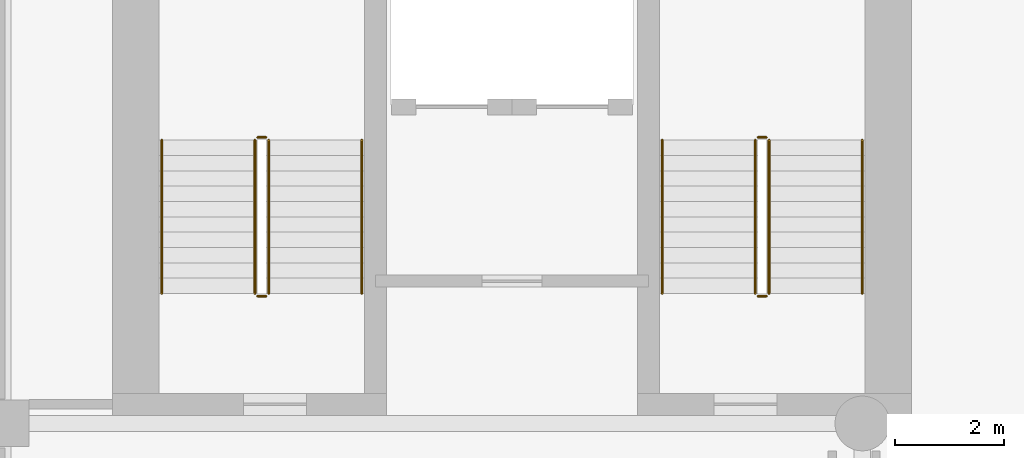
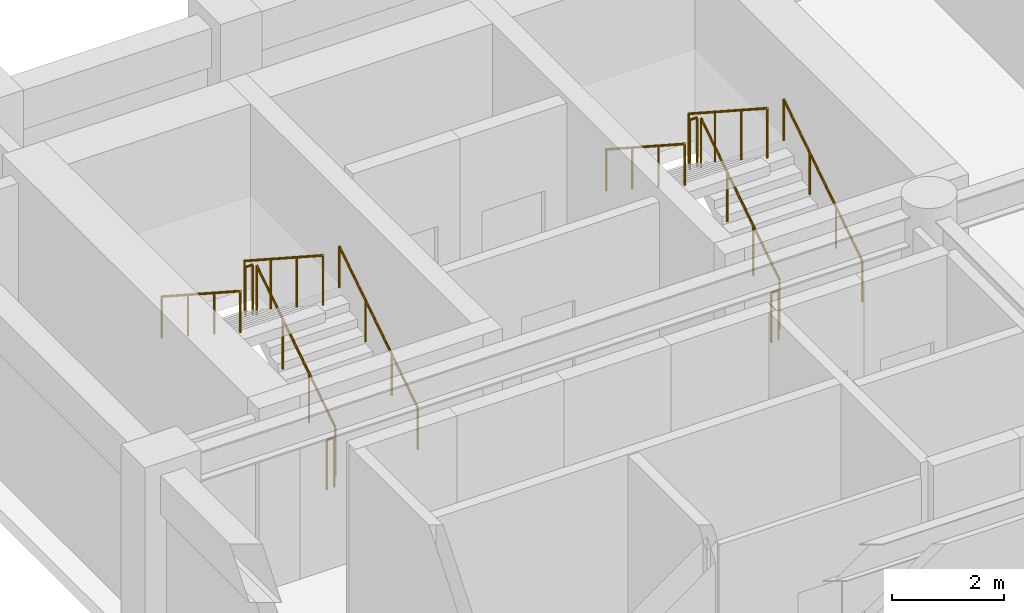
# One storey, part 7 of 8: 12 railings.
"""IFC4 building model written with IfcOpenShell, lengths in metres."""

from ifc_helpers import new_model, si_unit, direction, frame, origin, origin_2d, place, context, subcontext, project, spatial, circle, extrude, material, type_object, element, save


model = new_model("IFC4")

# Units and contexts
model_context = context("Model", 3, precision=1e-05, world=origin(), true_north=direction((0.0, 1.0)))
body_context = subcontext(model_context, "Body", "Model", "MODEL_VIEW")
ifc_project = project(units=[si_unit("LENGTHUNIT", "METRE"), si_unit("AREAUNIT", "SQUARE_METRE"), si_unit("VOLUMEUNIT", "CUBIC_METRE"), si_unit("PLANEANGLEUNIT", "RADIAN"), si_unit("MASSUNIT", "GRAM", prefix="KILO")], contexts=[model_context])

# Site, building, storey
site_placement = place(None, origin())
site = spatial("IfcSite", under=ifc_project, at=site_placement, CompositionType="ELEMENT")
building_placement = place(site_placement, origin())
building = spatial("IfcBuilding", under=site, at=building_placement, Name="Sulina Concourse Tower", CompositionType="ELEMENT")
storey_placement = place(building_placement, frame((0.0, 0.0, 132.60009765625)))
storey = spatial("IfcBuildingStorey", under=building, at=storey_placement, Name="L32", CompositionType="ELEMENT", Elevation=132.60009765625)

# Railings
ifc_material_1 = material(Name="Galvanised steel railing", Category="steel")
railing_type_1 = type_object("IfcRailingType", Name="Core Stair Steel Guardrail 1150mm", PredefinedType="GUARDRAIL", material=ifc_material_1)
railing_1_placement = place(storey_placement, frame((5.554931640625, 36.375, 0.181640625)))
element("IfcRailing", 1, at=railing_1_placement, inside=storey, type_object=railing_type_1, Name="L32 ST-1 stair guard 1", PredefinedType="GUARDRAIL", context=body_context, shape_type="SweptSolid", body=[
    extrude(circle(Radius=0.02392578125, at=origin_2d()), frame((0.0, 0.0, 1.076171875), z_axis=(0.0, 0.838672427954, 0.544636170843), x_axis=(-1.0, 0.0, 0.0)), (0.0, 0.0, 1.0), 3.338623046875),
    extrude(circle(Radius=0.02099609375, at=origin_2d()), origin(), (0.0, 0.0, 1.0), 1.052001953125),
    extrude(circle(Radius=0.02099609375, at=origin_2d()), frame((0.0, 0.933349609375, 0.606201171875)), (0.0, 0.0, 1.0), 1.052001953125),
    extrude(circle(Radius=0.02099609375, at=origin_2d()), frame((0.0, 1.86669921875, 1.212158203125)), (0.0, 0.0, 1.0), 1.052001953125),
    extrude(circle(Radius=0.02099609375, at=origin_2d()), frame((0.0, 2.800048828125, 1.818359375)), (0.0, 0.0, 1.0), 1.052001953125),
])
railing_2_placement = place(storey_placement, frame((5.5048828125, 39.22509765625, 2.0)))
element("IfcRailing", 2, at=railing_2_placement, inside=storey, type_object=railing_type_1, Name="L32 ST-1 stair guard 2", PredefinedType="GUARDRAIL", context=body_context, shape_type="SweptSolid", body=[
    extrude(circle(Radius=0.02392578125, at=origin_2d()), frame((0.0, 0.0, 1.076171875), z_axis=(-1.0, 0.0, 0.0), x_axis=(0.0, -1.0, 0.0)), (0.0, 0.0, 1.0), 0.14990234375),
    extrude(circle(Radius=0.02099609375, at=origin_2d()), origin(), (0.0, 0.0, 1.0), 1.052001953125),
    extrude(circle(Radius=0.02099609375, at=origin_2d()), frame((-0.14990234375, 0.0, 0.0)), (0.0, 0.0, 1.0), 1.052001953125),
])
railing_3_placement = place(storey_placement, frame((5.304931640625, 39.175048828125, 2.181640625)))
element("IfcRailing", 3, at=railing_3_placement, inside=storey, type_object=railing_type_1, Name="L32 ST-1 stair guard 3", PredefinedType="GUARDRAIL", context=body_context, shape_type="SweptSolid", body=[
    extrude(circle(Radius=0.02392578125, at=origin_2d()), frame((0.0, 0.0, 1.076171875), z_axis=(0.0, -0.838672427954, 0.544636170843), x_axis=(1.0, 0.0, 0.0)), (0.0, 0.0, 1.0), 3.338623046875),
    extrude(circle(Radius=0.02099609375, at=origin_2d()), origin(), (0.0, 0.0, 1.0), 1.052001953125),
    extrude(circle(Radius=0.02099609375, at=origin_2d()), frame((0.0, -0.933349609375, 0.606201171875)), (0.0, 0.0, 1.0), 1.052001953125),
    extrude(circle(Radius=0.02099609375, at=origin_2d()), frame((0.0, -1.86669921875, 1.212158203125)), (0.0, 0.0, 1.0), 1.052001953125),
    extrude(circle(Radius=0.02099609375, at=origin_2d()), frame((0.0, -2.800048828125, 1.818359375)), (0.0, 0.0, 1.0), 1.052001953125),
])
railing_4_placement = place(storey_placement, frame((5.5048828125, 36.324951171875, 0.0)))
element("IfcRailing", 4, at=railing_4_placement, inside=storey, type_object=railing_type_1, Name="L32 ST-1 stair guard 4", PredefinedType="GUARDRAIL", context=body_context, shape_type="SweptSolid", body=[
    extrude(circle(Radius=0.02392578125, at=origin_2d()), frame((0.0, 0.0, 1.076171875), z_axis=(-1.0, 0.0, 0.0), x_axis=(0.0, -1.0, 0.0)), (0.0, 0.0, 1.0), 0.14990234375),
    extrude(circle(Radius=0.02099609375, at=origin_2d()), origin(), (0.0, 0.0, 1.0), 1.052001953125),
    extrude(circle(Radius=0.02099609375, at=origin_2d()), frame((-0.14990234375, 0.0, 0.0)), (0.0, 0.0, 1.0), 1.052001953125),
])
railing_5_placement = place(storey_placement, frame((14.695068359375, 36.375, 0.181640625)))
element("IfcRailing", 5, at=railing_5_placement, inside=storey, type_object=railing_type_1, Name="L32 ST-2 stair guard 1", PredefinedType="GUARDRAIL", context=body_context, shape_type="SweptSolid", body=[
    extrude(circle(Radius=0.02392578125, at=origin_2d()), frame((0.0, 0.0, 1.076171875), z_axis=(0.0, 0.838672427954, 0.544636170843), x_axis=(-1.0, 0.0, 0.0)), (0.0, 0.0, 1.0), 3.338623046875),
    extrude(circle(Radius=0.02099609375, at=origin_2d()), origin(), (0.0, 0.0, 1.0), 1.052001953125),
    extrude(circle(Radius=0.02099609375, at=origin_2d()), frame((0.0, 0.933349609375, 0.606201171875)), (0.0, 0.0, 1.0), 1.052001953125),
    extrude(circle(Radius=0.02099609375, at=origin_2d()), frame((0.0, 1.86669921875, 1.212158203125)), (0.0, 0.0, 1.0), 1.052001953125),
    extrude(circle(Radius=0.02099609375, at=origin_2d()), frame((0.0, 2.800048828125, 1.818359375)), (0.0, 0.0, 1.0), 1.052001953125),
])
railing_6_placement = place(storey_placement, frame((14.64501953125, 39.22509765625, 2.0)))
element("IfcRailing", 6, at=railing_6_placement, inside=storey, type_object=railing_type_1, Name="L32 ST-2 stair guard 2", PredefinedType="GUARDRAIL", context=body_context, shape_type="SweptSolid", body=[
    extrude(circle(Radius=0.02392578125, at=origin_2d()), frame((0.0, 0.0, 1.076171875), z_axis=(-1.0, 0.0, 0.0), x_axis=(0.0, -1.0, 0.0)), (0.0, 0.0, 1.0), 0.14990234375),
    extrude(circle(Radius=0.02099609375, at=origin_2d()), origin(), (0.0, 0.0, 1.0), 1.052001953125),
    extrude(circle(Radius=0.02099609375, at=origin_2d()), frame((-0.14990234375, 0.0, 0.0)), (0.0, 0.0, 1.0), 1.052001953125),
])
railing_7_placement = place(storey_placement, frame((14.445068359375, 39.175048828125, 2.181640625)))
element("IfcRailing", 7, at=railing_7_placement, inside=storey, type_object=railing_type_1, Name="L32 ST-2 stair guard 3", PredefinedType="GUARDRAIL", context=body_context, shape_type="SweptSolid", body=[
    extrude(circle(Radius=0.02392578125, at=origin_2d()), frame((0.0, 0.0, 1.076171875), z_axis=(0.0, -0.838672427954, 0.544636170843), x_axis=(1.0, 0.0, 0.0)), (0.0, 0.0, 1.0), 3.338623046875),
    extrude(circle(Radius=0.02099609375, at=origin_2d()), origin(), (0.0, 0.0, 1.0), 1.052001953125),
    extrude(circle(Radius=0.02099609375, at=origin_2d()), frame((0.0, -0.933349609375, 0.606201171875)), (0.0, 0.0, 1.0), 1.052001953125),
    extrude(circle(Radius=0.02099609375, at=origin_2d()), frame((0.0, -1.86669921875, 1.212158203125)), (0.0, 0.0, 1.0), 1.052001953125),
    extrude(circle(Radius=0.02099609375, at=origin_2d()), frame((0.0, -2.800048828125, 1.818359375)), (0.0, 0.0, 1.0), 1.052001953125),
])
railing_8_placement = place(storey_placement, frame((14.64501953125, 36.324951171875, 0.0)))
element("IfcRailing", 8, at=railing_8_placement, inside=storey, type_object=railing_type_1, Name="L32 ST-2 stair guard 4", PredefinedType="GUARDRAIL", context=body_context, shape_type="SweptSolid", body=[
    extrude(circle(Radius=0.02392578125, at=origin_2d()), frame((0.0, 0.0, 1.076171875), z_axis=(-1.0, 0.0, 0.0), x_axis=(0.0, -1.0, 0.0)), (0.0, 0.0, 1.0), 0.14990234375),
    extrude(circle(Radius=0.02099609375, at=origin_2d()), origin(), (0.0, 0.0, 1.0), 1.052001953125),
    extrude(circle(Radius=0.02099609375, at=origin_2d()), frame((-0.14990234375, 0.0, 0.0)), (0.0, 0.0, 1.0), 1.052001953125),
])
ifc_material_2 = material(Name="Galvanised steel railing", Category="steel")
railing_type_2 = type_object("IfcRailingType", Name="Stair Wall Steel Handrail 920mm", PredefinedType="HANDRAIL", material=ifc_material_2)
railing_9_placement = place(storey_placement, frame((7.2548828125, 36.375, 0.181640625)))
element("IfcRailing", 9, at=railing_9_placement, inside=storey, type_object=railing_type_2, Name="L32 ST-1 stair handrail 1", PredefinedType="HANDRAIL", context=body_context, shape_type="SweptSolid", body=[
    extrude(circle(Radius=0.02392578125, at=origin_2d()), frame((0.0, 0.0, 0.89599609375), z_axis=(0.0, 0.838672427954, 0.544636170843), x_axis=(-1.0, 0.0, 0.0)), (0.0, 0.0, 1.0), 3.338623046875),
    extrude(circle(Radius=0.02099609375, at=origin_2d()), origin(), (0.0, 0.0, 1.0), 0.871826171875),
    extrude(circle(Radius=0.02099609375, at=origin_2d()), frame((0.0, 0.933349609375, 0.606201171875)), (0.0, 0.0, 1.0), 0.871826171875),
    extrude(circle(Radius=0.02099609375, at=origin_2d()), frame((0.0, 1.86669921875, 1.212158203125)), (0.0, 0.0, 1.0), 0.871826171875),
    extrude(circle(Radius=0.02099609375, at=origin_2d()), frame((0.0, 2.800048828125, 1.818359375)), (0.0, 0.0, 1.0), 0.871826171875),
])
railing_10_placement = place(storey_placement, frame((3.60498046875, 39.175048828125, 2.181640625)))
element("IfcRailing", 10, at=railing_10_placement, inside=storey, type_object=railing_type_2, Name="L32 ST-1 stair handrail 2", PredefinedType="HANDRAIL", context=body_context, shape_type="SweptSolid", body=[
    extrude(circle(Radius=0.02392578125, at=origin_2d()), frame((0.0, 0.0, 0.89599609375), z_axis=(0.0, -0.838672427954, 0.544636170843), x_axis=(1.0, 0.0, 0.0)), (0.0, 0.0, 1.0), 3.338623046875),
    extrude(circle(Radius=0.02099609375, at=origin_2d()), origin(), (0.0, 0.0, 1.0), 0.871826171875),
    extrude(circle(Radius=0.02099609375, at=origin_2d()), frame((0.0, -0.933349609375, 0.606201171875)), (0.0, 0.0, 1.0), 0.871826171875),
    extrude(circle(Radius=0.02099609375, at=origin_2d()), frame((0.0, -1.86669921875, 1.212158203125)), (0.0, 0.0, 1.0), 0.871826171875),
    extrude(circle(Radius=0.02099609375, at=origin_2d()), frame((0.0, -2.800048828125, 1.818359375)), (0.0, 0.0, 1.0), 0.871826171875),
])
railing_11_placement = place(storey_placement, frame((16.39501953125, 36.375, 0.181640625)))
element("IfcRailing", 11, at=railing_11_placement, inside=storey, type_object=railing_type_2, Name="L32 ST-2 stair handrail 1", PredefinedType="HANDRAIL", context=body_context, shape_type="SweptSolid", body=[
    extrude(circle(Radius=0.02392578125, at=origin_2d()), frame((0.0, 0.0, 0.89599609375), z_axis=(0.0, 0.838672427954, 0.544636170843), x_axis=(-1.0, 0.0, 0.0)), (0.0, 0.0, 1.0), 3.338623046875),
    extrude(circle(Radius=0.02099609375, at=origin_2d()), origin(), (0.0, 0.0, 1.0), 0.871826171875),
    extrude(circle(Radius=0.02099609375, at=origin_2d()), frame((0.0, 0.933349609375, 0.606201171875)), (0.0, 0.0, 1.0), 0.871826171875),
    extrude(circle(Radius=0.02099609375, at=origin_2d()), frame((0.0, 1.86669921875, 1.212158203125)), (0.0, 0.0, 1.0), 0.871826171875),
    extrude(circle(Radius=0.02099609375, at=origin_2d()), frame((0.0, 2.800048828125, 1.818359375)), (0.0, 0.0, 1.0), 0.871826171875),
])
railing_12_placement = place(storey_placement, frame((12.7451171875, 39.175048828125, 2.181640625)))
element("IfcRailing", 12, at=railing_12_placement, inside=storey, type_object=railing_type_2, Name="L32 ST-2 stair handrail 2", PredefinedType="HANDRAIL", context=body_context, shape_type="SweptSolid", body=[
    extrude(circle(Radius=0.02392578125, at=origin_2d()), frame((0.0, 0.0, 0.89599609375), z_axis=(0.0, -0.838672427954, 0.544636170843), x_axis=(1.0, 0.0, 0.0)), (0.0, 0.0, 1.0), 3.338623046875),
    extrude(circle(Radius=0.02099609375, at=origin_2d()), origin(), (0.0, 0.0, 1.0), 0.871826171875),
    extrude(circle(Radius=0.02099609375, at=origin_2d()), frame((0.0, -0.933349609375, 0.606201171875)), (0.0, 0.0, 1.0), 0.871826171875),
    extrude(circle(Radius=0.02099609375, at=origin_2d()), frame((0.0, -1.86669921875, 1.212158203125)), (0.0, 0.0, 1.0), 0.871826171875),
    extrude(circle(Radius=0.02099609375, at=origin_2d()), frame((0.0, -2.800048828125, 1.818359375)), (0.0, 0.0, 1.0), 0.871826171875),
])

save(model, "model.ifc")
